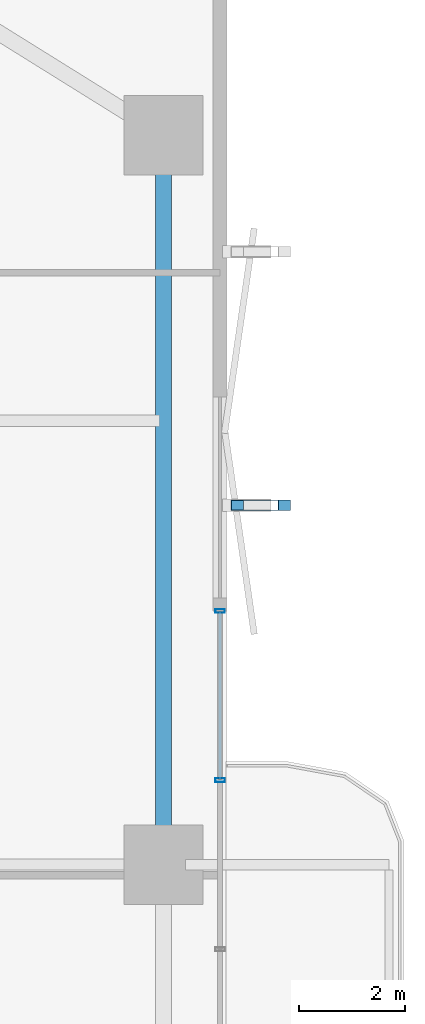
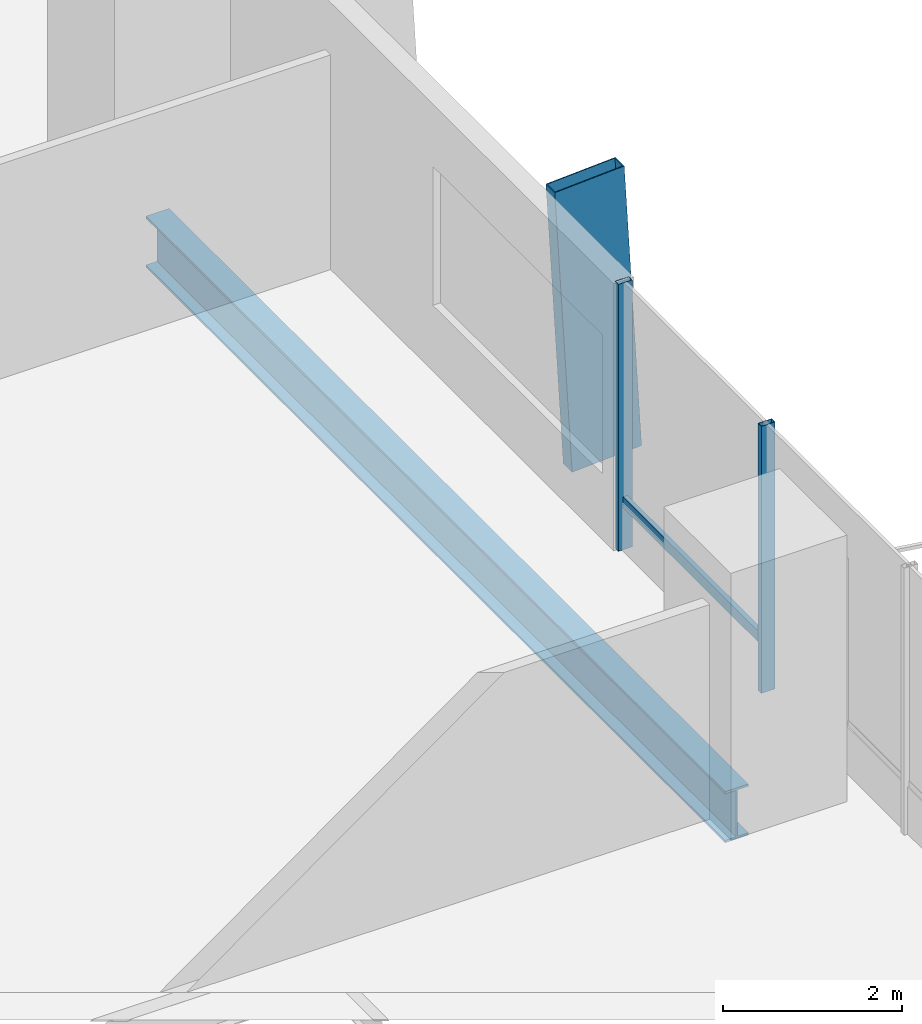
# One storey, part 13 of 23: 4 members, 1 beam, 1 element without a shape of its own.
"""IFC4 building model written with IfcOpenShell, lengths in metres."""

from ifc_helpers import new_model, si_unit, direction, frame, origin, origin_2d, place, context, subcontext, project, spatial, hollow_rectangle, i_section, extrude, material, layer, layer_set, material_profile, profile_set, type_object, element, aggregate, save


model = new_model("IFC4")

# Units and contexts
model_context = context("Model", 3, precision=1e-05, world=origin(), true_north=direction((0.0, 1.0)))
body_context = subcontext(model_context, "Body", "Model", "MODEL_VIEW")
ifc_project = project(units=[si_unit("LENGTHUNIT", "METRE"), si_unit("AREAUNIT", "SQUARE_METRE"), si_unit("VOLUMEUNIT", "CUBIC_METRE"), si_unit("PLANEANGLEUNIT", "RADIAN"), si_unit("MASSUNIT", "GRAM", prefix="KILO")], contexts=[model_context])

# Site, building, storey
site_placement = place(None, origin())
site = spatial("IfcSite", under=ifc_project, at=site_placement, CompositionType="ELEMENT")
building_placement = place(site_placement, origin())
building = spatial("IfcBuilding", under=site, at=building_placement, Name="Belovzor Exchange Tower", CompositionType="ELEMENT")
storey_placement = place(building_placement, frame((0.0, 0.0, 88.5)))
storey = spatial("IfcBuildingStorey", under=building, at=storey_placement, Name="L21", CompositionType="ELEMENT", Elevation=88.5)

# Member
ifc_material_1 = material(Name="Extruded Architectural Terracotta on Steel S355 Carrier", Category="masonry")
ifc_material_profile_1 = material_profile(ifc_material_1, hollow_rectangle(XDim=0.199951171875, YDim=0.89990234375, WallThickness=0.011962890625, at=origin_2d()))
ifc_profile_set_1 = profile_set([ifc_material_profile_1], Name="Extruded Architectural Terracotta on Steel S355 Carrier")
member_type_1 = type_object("IfcMemberType", Name="Sweeping Terracotta Baguette Fin Assembly 1250", PredefinedType="USERDEFINED", material=ifc_profile_set_1)
member_1_placement = place(storey_placement, frame((57.449951171875, 35.60009765625, -0.25), z_axis=(-0.057560598171, 0.0, 0.998342014311), x_axis=(0.0, -1.0, 0.0)))
element("IfcMember", 1, at=member_1_placement, inside=storey, type_object=member_type_1, Name="FIN-TC125 Terracotta Facade Fin L21 E3", ObjectType="FIN", PredefinedType="USERDEFINED", context=body_context, shape_type="SweptSolid", body=[
    extrude(hollow_rectangle(XDim=0.199951171875, YDim=0.89990234375, WallThickness=0.011962890625, at=origin_2d()), origin(), (0.0, 0.0, 1.0), 3.906494140625),
])

# Curtain wall, members
ifc_material_2 = material(Name="Anodised Aluminium Framing", Category="aluminium")
ifc_layer = layer(ifc_material_2, 0.179931640625)
ifc_layer_set = layer_set([ifc_layer], Name="Anodised Aluminium Framing")
curtain_wall_type = type_object("IfcCurtainWallType", Name="Recessed Loggia Low-Iron Triple-Glazed Curtain Wall", PredefinedType="NOTDEFINED", material=ifc_layer_set)
curtain_wall_placement = place(storey_placement, origin())
curtain_wall = element("IfcCurtainWall", 2, at=curtain_wall_placement, inside=storey, type_object=curtain_wall_type, Name="CW3 Recessed Loggia Low-Iron Triple-Glazed Curtain Wall L21", PredefinedType="NOTDEFINED")
ifc_material_3 = material(Name="Steel S355", Category="steel")
ifc_material_profile_2 = material_profile(ifc_material_3, hollow_rectangle(XDim=0.074951171875, YDim=0.179931640625, WallThickness=0.0048828125, at=origin_2d()))
ifc_profile_set_2 = profile_set([ifc_material_profile_2], Name="Steel S355")
member_type_2 = type_object("IfcMemberType", Name="Thermally Broken Curtain Wall Mullion 180x75", PredefinedType="MULLION", material=ifc_profile_set_2)
member_2_placement = place(storey_placement, frame((56.570068359375, 33.60009765625, 0.0), z_axis=(0.0, 0.0, 1.0), x_axis=(0.0, -1.0, 0.0)))
member_2 = element("IfcMember", 3, at=member_2_placement, type_object=member_type_2, Name="CW-M180 Curtain Wall Mullion 1", PredefinedType="MULLION", context=body_context, shape_type="SweptSolid", body=[
    extrude(hollow_rectangle(XDim=0.074951171875, YDim=0.179931640625, WallThickness=0.0048828125, at=origin_2d()), origin(), (0.0, 0.0, 1.0), 3.64990234375),
])
member_3_placement = place(storey_placement, frame((56.570068359375, 30.39990234375, 0.0), z_axis=(0.0, 0.0, 1.0), x_axis=(0.0, -1.0, 0.0)))
member_3 = element("IfcMember", 4, at=member_3_placement, type_object=member_type_2, Name="CW-M180 Curtain Wall Mullion 2", PredefinedType="MULLION", context=body_context, shape_type="SweptSolid", body=[
    extrude(hollow_rectangle(XDim=0.074951171875, YDim=0.179931640625, WallThickness=0.0048828125, at=origin_2d()), origin(), (0.0, 0.0, 1.0), 3.64990234375),
])
ifc_material_4 = material(Name="Steel S355", Category="steel")
ifc_material_profile_3 = material_profile(ifc_material_4, hollow_rectangle(XDim=0.06005859375, YDim=0.14990234375, WallThickness=0.00390625, at=origin_2d()))
ifc_profile_set_3 = profile_set([ifc_material_profile_3], Name="Steel S355")
member_type_3 = type_object("IfcMemberType", Name="Thermally Broken Curtain Wall Transom 150x60", PredefinedType="USERDEFINED", material=ifc_profile_set_3)
member_4_placement = place(storey_placement, frame((56.570068359375, 33.592041015625, 0.64990234375), z_axis=(0.0, -1.0, 0.0), x_axis=(1.0, 0.0, 0.0)))
member_4 = element("IfcMember", 5, at=member_4_placement, type_object=member_type_3, Name="CW-T150 Curtain Wall Transom 1", ObjectType="TRANSOM", PredefinedType="USERDEFINED", context=body_context, shape_type="SweptSolid", body=[
    extrude(hollow_rectangle(XDim=0.06005859375, YDim=0.14990234375, WallThickness=0.00390625, at=origin_2d()), origin(), (0.0, 0.0, 1.0), 3.18408203125),
])
aggregate(curtain_wall, [member_2, member_3, member_4])

# Beam
ifc_material_5 = material(Name="Steel S355", Category="steel")
ifc_material_profile_4 = material_profile(ifc_material_5, i_section(OverallWidth=0.300048828125, OverallDepth=0.699951171875, WebThickness=0.01708984375, FlangeThickness=0.031982421875, at=origin_2d()))
ifc_profile_set_4 = profile_set([ifc_material_profile_4], Name="Steel S355")
beam_type = type_object("IfcBeamType", Name="Zone 1 Primary Perimeter Girder HEB 700", PredefinedType="BEAM", material=ifc_profile_set_4)
beam_placement = place(storey_placement, frame((55.5, 29.212890625, -0.60009765625), z_axis=(0.0, 1.0, 0.0), x_axis=(-1.0, 0.0, 0.0)))
element("IfcBeam", 6, at=beam_placement, inside=storey, type_object=beam_type, Name="FG-Z1 Zone 1 Primary Perimeter Girder HEB 700", PredefinedType="BEAM", context=body_context, shape_type="SweptSolid", body=[
    extrude(i_section(OverallWidth=0.300048828125, OverallDepth=0.699951171875, WebThickness=0.01708984375, FlangeThickness=0.031982421875, at=origin_2d()), origin(), (0.0, 0.0, 1.0), 12.97509765625),
])

save(model, "model.ifc")
